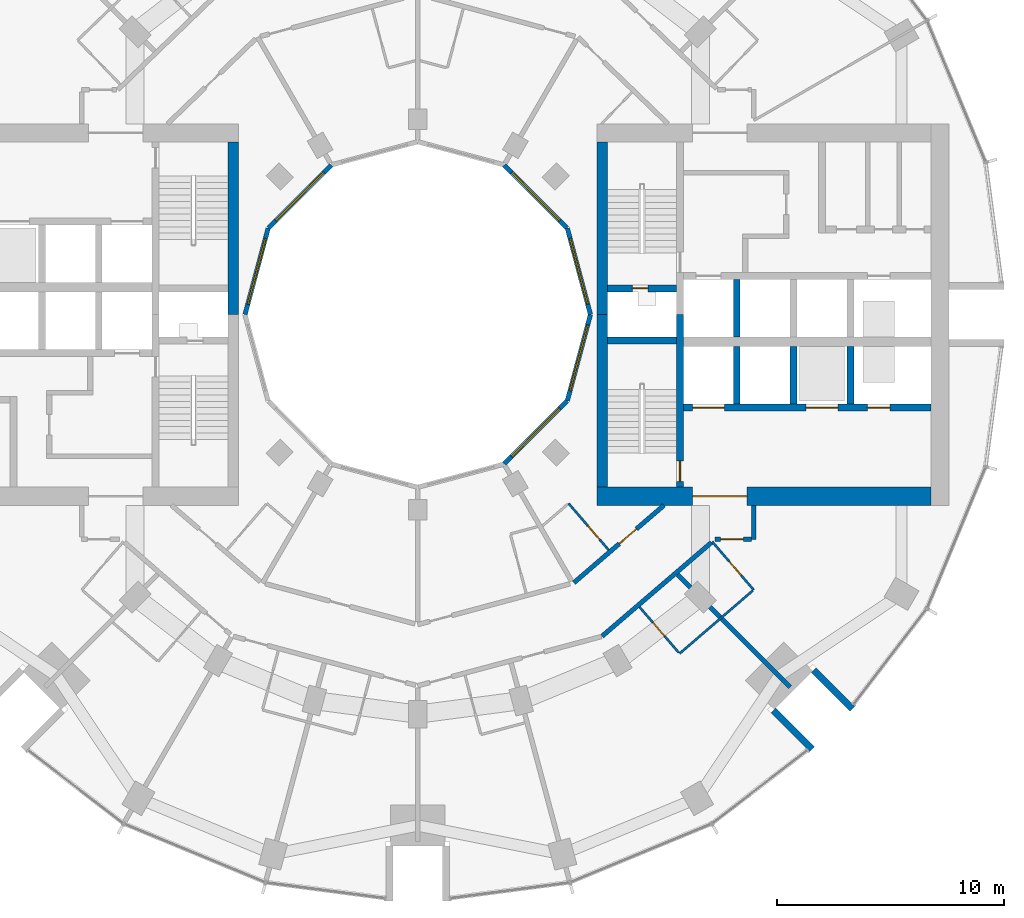
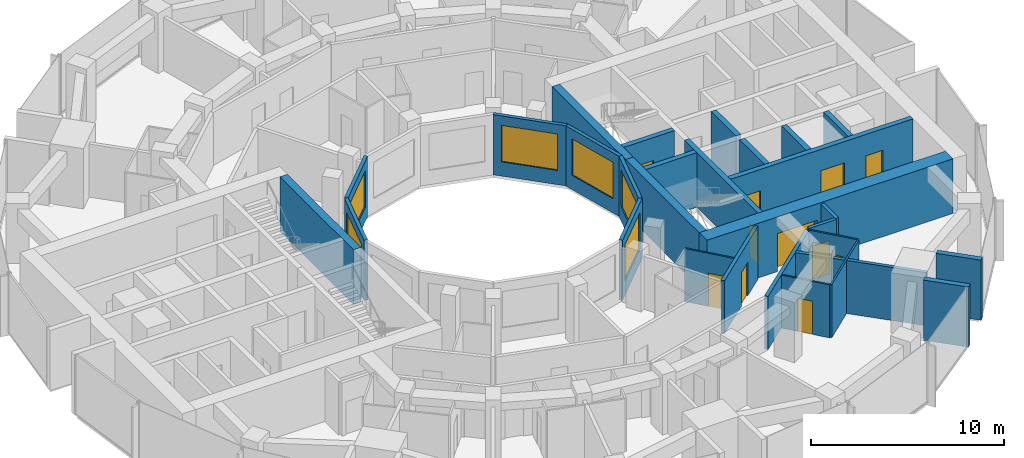
# One storey, part 10 of 15: 29 walls, 11 doors, 6 windows, 17 openings.
"""IFC4 building model written with IfcOpenShell, lengths in metres."""

import ifcopenshell
import ifcopenshell.guid

model = None  # the IFC model being written
_history = None  # IfcOwnerHistory: only IFC2X3 demands one
_inside = {}  # id of a spatial element -> (the spatial element, [elements in it])
_under = {}  # id of a project, library or spatial element -> (it, [spatial elements below it])
_declared = {}  # id of a project -> (the project, [libraries it declares])
_typed = {}  # id of a type object -> (the type object, [elements of that type])
_made_of = {}  # id of a material, layer set ... -> (it, [elements and type objects made of it])


def new_model(schema):
    """Start an empty IFC model of exactly this schema.

    Asked for "IFC4X3", IfcOpenShell would pick the latest addendum, in which some entities
    have other attributes; the version numbers below select the first issue.
    IFC2X3 requires an IfcOwnerHistory on every rooted entity: one is made here for all.
    """
    global model, _history
    if schema == "IFC4X3":
        model = ifcopenshell.file(schema_version=(4, 3, 0, 0))
    else:
        model = ifcopenshell.file(schema=schema)
    _inside.clear()
    _under.clear()
    _declared.clear()
    _typed.clear()
    _made_of.clear()
    _history = None
    if model.schema == "IFC2X3":
        org = make("IfcOrganization", Name="unknown")
        user = make(
            "IfcPersonAndOrganization",
            ThePerson=make("IfcPerson", FamilyName="unknown"),
            TheOrganization=org,
        )
        app = make(
            "IfcApplication",
            ApplicationDeveloper=org,
            Version="unknown",
            ApplicationFullName="unknown",
            ApplicationIdentifier="unknown",
        )
        _history = make(
            "IfcOwnerHistory",
            OwningUser=user,
            OwningApplication=app,
            ChangeAction="ADDED",
            CreationDate=0,
        )
    return model


def make(cls, **values):
    """One entity of the class cls with the attributes given. An attribute that is None is left unset."""
    return model.create_entity(
        cls, **{name: value for name, value in values.items() if value is not None}
    )


def rooted(cls, **values):
    """An entity with a GlobalId (a new one), such as an element, a storey or a relation."""
    return make(cls, GlobalId=ifcopenshell.guid.new(), OwnerHistory=_history, **values)


def si_unit(unit_type, name, prefix=None):
    """IfcSIUnit, for example si_unit("LENGTHUNIT", "METRE", prefix="MILLI")."""
    return make("IfcSIUnit", UnitType=unit_type, Prefix=prefix, Name=name)


def assignment(units):
    """IfcUnitAssignment: the units of a project."""
    return None if units is None else make("IfcUnitAssignment", Units=units)


def point(xyz):
    """IfcCartesianPoint."""
    return None if xyz is None else make("IfcCartesianPoint", Coordinates=xyz)


def direction(xyz):
    """IfcDirection."""
    return None if xyz is None else make("IfcDirection", DirectionRatios=xyz)


def frame(location, z_axis=None, x_axis=None):
    """IfcAxis2Placement3D, a coordinate frame: its origin and axes. An axis left out is left unset."""
    return make(
        "IfcAxis2Placement3D",
        Location=point(location),
        Axis=direction(z_axis),
        RefDirection=direction(x_axis),
    )


def frame_2d(location, x_axis=None):
    """IfcAxis2Placement2D, a coordinate frame in the plane: its origin and x axis."""
    return make(
        "IfcAxis2Placement2D", Location=point(location), RefDirection=direction(x_axis)
    )


def origin():
    """The frame at (0, 0, 0) with its axes left unset."""
    return frame((0.0, 0.0, 0.0))


def place(relative_to, where):
    """IfcLocalPlacement: puts the frame where relative to a parent placement (None: the world)."""
    return make(
        "IfcLocalPlacement", PlacementRelTo=relative_to, RelativePlacement=where
    )


def context(
    kind, dimensions, precision=None, world=None, true_north=None, identifier=None
):
    """IfcGeometricRepresentationContext, for example the 3D "Model" context."""
    return make(
        "IfcGeometricRepresentationContext",
        ContextIdentifier=identifier,
        ContextType=kind,
        CoordinateSpaceDimension=dimensions,
        Precision=precision,
        WorldCoordinateSystem=world,
        TrueNorth=true_north,
    )


def subcontext(parent, identifier, kind, view, scale=None):
    """IfcGeometricRepresentationSubContext, for example "Body" below "Model"."""
    return make(
        "IfcGeometricRepresentationSubContext",
        ContextIdentifier=identifier,
        ContextType=kind,
        ParentContext=parent,
        TargetScale=scale,
        TargetView=view,
    )


def project(units=None, contexts=None):
    """IfcProject with its units and contexts."""
    return rooted(
        "IfcProject",
        Name="project",
        RepresentationContexts=contexts,
        UnitsInContext=assignment(units),
    )


def spatial(cls, under=None, at=None, **own):
    """A site, building, storey or space (cls), placed at a placement, below another one or the project."""
    s = rooted(cls, ObjectPlacement=at, **own)
    if under is not None:
        _under.setdefault(under.id(), (under, []))[1].append(s)
    return s


def profile(cls, at=None, kind="AREA", **sizes):
    """A parametric profile (cls). Its sizes go by their IFC names, for example OverallWidth=200.0."""
    return make(cls, ProfileType=kind, Position=at, **sizes)


def rectangle(**sizes):
    """IfcRectangleProfileDef."""
    return profile("IfcRectangleProfileDef", **sizes)


def extrude(swept, where, along, depth):
    """IfcExtrudedAreaSolid: the profile swept, set in the frame where, extruded along a direction by depth."""
    return make(
        "IfcExtrudedAreaSolid",
        SweptArea=swept,
        Position=where,
        ExtrudedDirection=direction(along),
        Depth=depth,
    )


def shape(context_of_items, identifier, shape_type, items):
    """IfcShapeRepresentation: the items that make up one representation, for example the "Body"."""
    return make(
        "IfcShapeRepresentation",
        ContextOfItems=context_of_items,
        RepresentationIdentifier=identifier,
        RepresentationType=shape_type,
        Items=items,
    )


def material(Name=None, Category=None):
    """IfcMaterial."""
    return make("IfcMaterial", Name=Name, Category=Category)


def layer(
    of_material, thickness, ventilated=None, Name=None, Category=None, Priority=None
):
    """IfcMaterialLayer: one layer of a wall or slab, of a material (None: an air gap)."""
    return make(
        "IfcMaterialLayer",
        Material=of_material,
        LayerThickness=thickness,
        IsVentilated=ventilated,
        Name=Name,
        Category=Category,
        Priority=Priority,
    )


def layer_set(layers, Name=None):
    """IfcMaterialLayerSet."""
    return make("IfcMaterialLayerSet", MaterialLayers=layers, LayerSetName=Name)


def made_of(thing, what):
    """Note that an element or type object is made of a material, layer set ...; save() writes the relation."""
    if what is not None:
        _made_of.setdefault(what.id(), (what, []))[1].append(thing)
    return thing


def type_object(cls, material=None, **own):
    """A type object (cls), such as IfcWallType, which elements share."""
    return made_of(rooted(cls, **own), material)


def element(
    cls,
    number,
    at=None,
    inside=None,
    cuts=None,
    type_object=None,
    material=None,
    context=None,
    identifier="Body",
    shape_type=None,
    held_by="IfcProductDefinitionShape",
    body=None,
    shapes=None,
    **own,
):
    """One element of the class cls, such as IfcWall. Its Tag is "e" and its number.

    at: its placement. inside: the storey or other place that contains it. cuts: it is an
    opening in that element (IfcRelVoidsElement). A single representation is given by context,
    identifier, shape_type and body (its items); several are given by shapes. held_by: the class
    of the entity that holds the representations. save() writes the other relations.
    """
    e = rooted(cls, Tag="e%d" % number, ObjectPlacement=at, **own)
    if body is not None:
        shapes = [shape(context, identifier, shape_type, body)]
    if shapes is not None:
        e.Representation = make(held_by, Representations=shapes)
    if inside is not None:
        _inside.setdefault(inside.id(), (inside, []))[1].append(e)
    if cuts is not None:
        rooted(
            "IfcRelVoidsElement", RelatingBuildingElement=cuts, RelatedOpeningElement=e
        )
    if type_object is not None:
        _typed.setdefault(type_object.id(), (type_object, []))[1].append(e)
    return made_of(e, material)


def fill(opening, filler):
    """IfcRelFillsElement: the door or window that sits in an opening."""
    return rooted(
        "IfcRelFillsElement",
        RelatingOpeningElement=opening,
        RelatedBuildingElement=filler,
    )


def aggregate(whole, parts):
    """IfcRelAggregates: a whole, such as a stair, and the parts it consists of."""
    return rooted("IfcRelAggregates", RelatingObject=whole, RelatedObjects=parts)


def save(model, path):
    """Write the relations noted so far, then the file.

    IfcRelAggregates (storeys below a building ...), IfcRelContainedInSpatialStructure (elements
    in a storey), IfcRelDefinesByType, IfcRelAssociatesMaterial and IfcRelDeclares: one each for
    every whole, place, type object, material and project.
    """
    for whole, parts in _under.values():
        aggregate(whole, parts)
    for where, things in _inside.values():
        rooted(
            "IfcRelContainedInSpatialStructure",
            RelatedElements=things,
            RelatingStructure=where,
        )
    for kind, things in _typed.values():
        rooted("IfcRelDefinesByType", RelatedObjects=things, RelatingType=kind)
    for what, things in _made_of.values():
        rooted("IfcRelAssociatesMaterial", RelatedObjects=things, RelatingMaterial=what)
    for by, libraries in _declared.values():
        rooted("IfcRelDeclares", RelatingContext=by, RelatedDefinitions=libraries)
    model.write(path)


model = new_model("IFC4")

# Units and contexts
model_context = context("Model", 3, precision=1e-05, world=origin(), true_north=direction((0.0, 1.0)))
body_context = subcontext(model_context, "Body", "Model", "MODEL_VIEW")
ifc_project = project(units=[si_unit("LENGTHUNIT", "METRE"), si_unit("AREAUNIT", "SQUARE_METRE"), si_unit("VOLUMEUNIT", "CUBIC_METRE"), si_unit("PLANEANGLEUNIT", "RADIAN"), si_unit("MASSUNIT", "GRAM", prefix="KILO")], contexts=[model_context])

# Site, building, storey
site_placement = place(None, origin())
site = spatial("IfcSite", under=ifc_project, at=site_placement, CompositionType="ELEMENT")
building_placement = place(site_placement, origin())
building = spatial("IfcBuilding", under=site, at=building_placement, Name="Torre Brocal", CompositionType="ELEMENT")
storey_placement = place(building_placement, frame((0.0, 0.0, 105.199951171875)))
storey = spatial("IfcBuildingStorey", under=building, at=storey_placement, Name="L24", CompositionType="ELEMENT", Elevation=105.199951171875)

# Wall, opening, door
ifc_material_1 = material(Name="Concrete C80", Category="concrete")
ifc_layer_1 = layer(ifc_material_1, 0.300048828125)
ifc_layer_set_1 = layer_set([ifc_layer_1], Name="Concrete C80")
wall_type_1 = type_object("IfcWallType", Name="CORE WALL 300 C80 UNDER 350 SLAB", PredefinedType="SHEAR", material=ifc_layer_set_1)
wall_1_placement = place(storey_placement, frame((91.550048828125, 67.39990234375, 0.0), z_axis=(0.0, 0.0, 1.0), x_axis=(0.0, 1.0, 0.0)))
wall_1 = element("IfcWall", 1, at=wall_1_placement, inside=storey, type_object=wall_type_1, Name="Wall CW300-80-S350", PredefinedType="SHEAR", context=body_context, shape_type="SweptSolid", body=[
    extrude(rectangle(XDim=7.60009765625, YDim=0.300048828125, at=frame_2d((3.800048828125, 0.0))), origin(), (0.0, 0.0, 1.0), 3.449951171875),
])
opening_1_placement = place(wall_1_placement, frame((0.25, 0.0, 0.0)))
opening_1 = element("IfcOpeningElement", 2, at=opening_1_placement, cuts=wall_1, Name="Opening E-D03", PredefinedType="OPENING", context=body_context, shape_type="SweptSolid", body=[
    extrude(rectangle(XDim=0.89990234375, YDim=2.10009765625, at=frame_2d((0.449951171875, 1.050048828125))), frame((0.0, 0.159912109375, 0.0), z_axis=(0.0, -1.0, 0.0), x_axis=(1.0, 0.0, 0.0)), (0.0, 0.0, 1.0), 0.320068359375),
])
ifc_material_2 = material(Name="Steel A653", Category="steel")
door_type_1 = type_object("IfcDoorType", Name="STAIR DOOR FD120 900X2100", OperationType="SINGLE_SWING_RIGHT", PredefinedType="DOOR", material=ifc_material_2)
door_1_placement = place(opening_1_placement, origin())
door_1 = element("IfcDoor", 3, at=door_1_placement, inside=storey, type_object=door_type_1, Name="Door E-D03", OperationType="SINGLE_SWING_LEFT", OverallHeight=2.10009765625, OverallWidth=0.89990234375, PredefinedType="DOOR", context=body_context, shape_type="SweptSolid", body=[
    extrude(rectangle(XDim=0.89990234375, YDim=2.10009765625, at=frame_2d((0.449951171875, 1.050048828125))), frame((0.0, 0.02490234375, 0.0), z_axis=(0.0, -1.0, 0.0), x_axis=(1.0, 0.0, 0.0)), (0.0, 0.0, 1.0), 0.050048828125),
])
fill(opening_1, door_1)

wall_2_placement = place(storey_placement, frame((88.35009765625, 76.14990234375, 0.0), z_axis=(0.0, 0.0, 1.0), x_axis=(1.0, 0.0, 0.0)))
wall_2 = element("IfcWall", 4, at=wall_2_placement, inside=storey, type_object=wall_type_1, Name="Wall CW300-80-S350", PredefinedType="SHEAR", context=body_context, shape_type="SweptSolid", body=[
    extrude(rectangle(XDim=3.0498046875, YDim=0.300048828125, at=frame_2d((1.52490234375, 0.0))), origin(), (0.0, 0.0, 1.0), 3.449951171875),
])
opening_2_placement = place(wall_2_placement, frame((1.10009765625, 0.0, 0.0)))
opening_2 = element("IfcOpeningElement", 5, at=opening_2_placement, cuts=wall_2, Name="Opening E-D01", PredefinedType="OPENING", context=body_context, shape_type="SweptSolid", body=[
    extrude(rectangle(XDim=0.699951171875, YDim=2.0, at=frame_2d((0.35009765625, 1.0))), frame((0.0, 0.159912109375, 0.0), z_axis=(0.0, -1.0, 0.0), x_axis=(1.0, 0.0, 0.0)), (0.0, 0.0, 1.0), 0.320068359375),
])
ifc_material_3 = material(Name="Steel A653", Category="steel")
door_type_2 = type_object("IfcDoorType", Name="RISER DOOR FD120 700X2000", OperationType="SINGLE_SWING_LEFT", PredefinedType="DOOR", material=ifc_material_3)
door_2_placement = place(opening_2_placement, frame((0.699951171875, 0.0, 0.0), z_axis=(0.0, 0.0, 1.0), x_axis=(-1.0, 0.0, 0.0)))
door_2 = element("IfcDoor", 6, at=door_2_placement, inside=storey, type_object=door_type_2, Name="Door E-D01", OperationType="SINGLE_SWING_RIGHT", OverallHeight=2.0, OverallWidth=0.699951171875, PredefinedType="DOOR", context=body_context, shape_type="SweptSolid", body=[
    extrude(rectangle(XDim=0.699951171875, YDim=2.0, at=frame_2d((0.35009765625, 1.0))), frame((0.0, 0.02490234375, 0.0), z_axis=(0.0, -1.0, 0.0), x_axis=(1.0, 0.0, 0.0)), (0.0, 0.0, 1.0), 0.050048828125),
])
fill(opening_2, door_2)

# Wall
wall_3_placement = place(storey_placement, frame((88.35009765625, 73.85009765625, 0.0), z_axis=(0.0, 0.0, 1.0), x_axis=(1.0, 0.0, 0.0)))
element("IfcWall", 7, at=wall_3_placement, inside=storey, type_object=wall_type_1, Name="Wall CW300-80-S350", PredefinedType="SHEAR", context=body_context, shape_type="SweptSolid", body=[
    extrude(rectangle(XDim=3.0498046875, YDim=0.300048828125, at=frame_2d((1.52490234375, 0.0))), origin(), (0.0, 0.0, 1.0), 3.449951171875),
])

# Wall, openings, doors
wall_4_placement = place(storey_placement, frame((91.699951171875, 70.89990234375, 0.0), z_axis=(0.0, 0.0, 1.0), x_axis=(1.0, 0.0, 0.0)))
wall_4 = element("IfcWall", 8, at=wall_4_placement, inside=storey, type_object=wall_type_1, Name="Wall CW300-80-S350", PredefinedType="SHEAR", context=body_context, shape_type="SweptSolid", body=[
    extrude(rectangle(XDim=10.900146484375, YDim=0.300048828125, at=frame_2d((5.4501953125, 0.0))), origin(), (0.0, 0.0, 1.0), 3.449951171875),
])
opening_3_placement = place(wall_4_placement, frame((0.39990234375, 0.0, 0.0)))
opening_3 = element("IfcOpeningElement", 9, at=opening_3_placement, cuts=wall_4, Name="Opening LD14", PredefinedType="OPENING", context=body_context, shape_type="SweptSolid", body=[
    extrude(rectangle(XDim=1.39990234375, YDim=2.10009765625, at=frame_2d((0.699951171875, 1.050048828125))), frame((0.0, 0.159912109375, 0.0), z_axis=(0.0, -1.0, 0.0), x_axis=(1.0, 0.0, 0.0)), (0.0, 0.0, 1.0), 0.320068359375),
])
opening_4_placement = place(wall_4_placement, frame((5.39990234375, 0.0, 0.0)))
opening_4 = element("IfcOpeningElement", 10, at=opening_4_placement, cuts=wall_4, Name="Opening LD14", PredefinedType="OPENING", context=body_context, shape_type="SweptSolid", body=[
    extrude(rectangle(XDim=1.39990234375, YDim=2.10009765625, at=frame_2d((0.699951171875, 1.050048828125))), frame((0.0, 0.159912109375, 0.0), z_axis=(0.0, -1.0, 0.0), x_axis=(1.0, 0.0, 0.0)), (0.0, 0.0, 1.0), 0.320068359375),
])
opening_5_placement = place(wall_4_placement, frame((8.10009765625, 0.0, 0.0)))
opening_5 = element("IfcOpeningElement", 11, at=opening_5_placement, cuts=wall_4, Name="Opening LD10", PredefinedType="OPENING", context=body_context, shape_type="SweptSolid", body=[
    extrude(rectangle(XDim=1.0, YDim=2.10009765625, at=frame_2d((0.5, 1.050048828125))), frame((0.0, 0.159912109375, 0.0), z_axis=(0.0, -1.0, 0.0), x_axis=(1.0, 0.0, 0.0)), (0.0, 0.0, 1.0), 0.320068359375),
])
ifc_material_4 = material(Name="Stainless steel AISI 316", Category="steel")
door_type_3 = type_object("IfcDoorType", Name="LIFT LANDING DOOR 1000X2100", OperationType="DOUBLE_DOOR_SLIDING", PredefinedType="DOOR", material=ifc_material_4)
door_3_placement = place(opening_5_placement, origin())
door_3 = element("IfcDoor", 12, at=door_3_placement, inside=storey, type_object=door_type_3, Name="Door LD10", OperationType="DOUBLE_DOOR_SLIDING", OverallHeight=2.10009765625, OverallWidth=1.0, PredefinedType="DOOR", context=body_context, shape_type="SweptSolid", body=[
    extrude(rectangle(XDim=1.0, YDim=2.10009765625, at=frame_2d((0.5, 1.050048828125))), frame((0.0, 0.02490234375, 0.0), z_axis=(0.0, -1.0, 0.0), x_axis=(1.0, 0.0, 0.0)), (0.0, 0.0, 1.0), 0.050048828125),
])
fill(opening_5, door_3)
ifc_material_5 = material(Name="Stainless steel AISI 316", Category="steel")
door_type_4 = type_object("IfcDoorType", Name="LIFT LANDING DOOR 1400X2100", OperationType="DOUBLE_DOOR_SLIDING", PredefinedType="DOOR", material=ifc_material_5)
door_4_placement = place(opening_3_placement, origin())
door_4 = element("IfcDoor", 13, at=door_4_placement, inside=storey, type_object=door_type_4, Name="Door LD14", OperationType="DOUBLE_DOOR_SLIDING", OverallHeight=2.10009765625, OverallWidth=1.39990234375, PredefinedType="DOOR", context=body_context, shape_type="SweptSolid", body=[
    extrude(rectangle(XDim=1.39990234375, YDim=2.10009765625, at=frame_2d((0.699951171875, 1.050048828125))), frame((0.0, 0.02490234375, 0.0), z_axis=(0.0, -1.0, 0.0), x_axis=(1.0, 0.0, 0.0)), (0.0, 0.0, 1.0), 0.050048828125),
])
fill(opening_3, door_4)
door_5_placement = place(opening_4_placement, origin())
door_5 = element("IfcDoor", 14, at=door_5_placement, inside=storey, type_object=door_type_4, Name="Door LD14", OperationType="DOUBLE_DOOR_SLIDING", OverallHeight=2.10009765625, OverallWidth=1.39990234375, PredefinedType="DOOR", context=body_context, shape_type="SweptSolid", body=[
    extrude(rectangle(XDim=1.39990234375, YDim=2.10009765625, at=frame_2d((0.699951171875, 1.050048828125))), frame((0.0, 0.02490234375, 0.0), z_axis=(0.0, -1.0, 0.0), x_axis=(1.0, 0.0, 0.0)), (0.0, 0.0, 1.0), 0.050048828125),
])
fill(opening_4, door_5)

# Walls
for number, where, z_axis, x_axis, name in (
    (15, (94.050048828125, 74.0, 0.0), (0.0, 0.0, 1.0), (0.0, 1.0, 0.0), "Wall CW300-80-S350"),
    (16, (94.050048828125, 71.050048828125, 0.0), (0.0, 0.0, 1.0), (0.0, 1.0, 0.0), "Wall CW300-80-S350"),
    (17, (96.550048828125, 71.050048828125, 0.0), (0.0, 0.0, 1.0), (0.0, 1.0, 0.0), "Wall CW300-80-S350"),
    (18, (99.050048828125, 71.050048828125, 0.0), (0.0, 0.0, 1.0), (0.0, 1.0, 0.0), "Wall CW300-80-S350"),
):
    element("IfcWall", number, at=place(storey_placement, frame(where, z_axis=z_axis, x_axis=x_axis)), inside=storey, type_object=wall_type_1, Name=name, PredefinedType="SHEAR", context=body_context, shape_type="SweptSolid", body=[
        extrude(rectangle(XDim=2.550048828125, YDim=0.300048828125, at=frame_2d((1.27490234375, 0.0))), origin(), (0.0, 0.0, 1.0), 3.449951171875),
    ])
ifc_material_6 = material(Name="Concrete C80", Category="concrete")
ifc_layer_2 = layer(ifc_material_6, 0.449951171875)
ifc_layer_set_2 = layer_set([ifc_layer_2], Name="Concrete C80")
wall_type_2 = type_object("IfcWallType", Name="CORE WALL 450 C80 UNDER 350 SLAB", PredefinedType="SHEAR", material=ifc_layer_set_2)
for number, where, z_axis, x_axis, name in (
    (19, (88.125, 75.0, 0.0), (0.0, 0.0, 1.0), (0.0, 1.0, 0.0), "Wall CW450-80-S350"),
    (20, (88.125, 67.39990234375, 0.0), (0.0, 0.0, 1.0), (0.0, 1.0, 0.0), "Wall CW450-80-S350"),
    (21, (71.875, 82.60009765625, 0.0), (0.0, 0.0, 1.0), (0.0, -1.0, 0.0), "Wall CW450-80-S350"),
):
    element("IfcWall", number, at=place(storey_placement, frame(where, z_axis=z_axis, x_axis=x_axis)), inside=storey, type_object=wall_type_2, Name=name, PredefinedType="SHEAR", context=body_context, shape_type="SweptSolid", body=[
        extrude(rectangle(XDim=7.60009765625, YDim=0.449951171875, at=frame_2d((3.800048828125, 0.0))), origin(), (0.0, 0.0, 1.0), 3.449951171875),
    ])

# Wall, opening, door
ifc_material_7 = material(Name="Concrete C80", Category="concrete")
ifc_layer_3 = layer(ifc_material_7, 0.800048828125)
ifc_layer_set_3 = layer_set([ifc_layer_3], Name="Concrete C80")
wall_type_3 = type_object("IfcWallType", Name="CORE WALL 800 C80 UNDER 350 SLAB", PredefinedType="SHEAR", material=ifc_layer_set_3)
wall_5_placement = place(storey_placement, frame((87.89990234375, 67.0, 0.0), z_axis=(0.0, 0.0, 1.0), x_axis=(1.0, 0.0, 0.0)))
wall_5 = element("IfcWall", 22, at=wall_5_placement, inside=storey, type_object=wall_type_3, Name="Wall CW800-80-S350", PredefinedType="SHEAR", context=body_context, shape_type="SweptSolid", body=[
    extrude(rectangle(XDim=14.7001953125, YDim=0.800048828125, at=frame_2d((7.35009765625, 0.0))), origin(), (0.0, 0.0, 1.0), 3.449951171875),
])
opening_6_placement = place(wall_5_placement, frame((4.199951171875, 0.0, 0.0)))
opening_6 = element("IfcOpeningElement", 23, at=opening_6_placement, cuts=wall_5, Name="Opening E-D30", PredefinedType="OPENING", context=body_context, shape_type="SweptSolid", body=[
    extrude(rectangle(XDim=2.39990234375, YDim=2.39990234375, at=frame_2d((1.199951171875, 1.199951171875))), frame((0.0, 0.409912109375, 0.0), z_axis=(0.0, -1.0, 0.0), x_axis=(1.0, 0.0, 0.0)), (0.0, 0.0, 1.0), 0.820068359375),
])
ifc_material_8 = material(Name="Steel A653", Category="steel")
door_type_5 = type_object("IfcDoorType", Name="DOUBLE FIRE DOOR FD90 2400X2400", OperationType="DOUBLE_DOOR_SINGLE_SWING", PredefinedType="DOOR", material=ifc_material_8)
door_6_placement = place(opening_6_placement, origin())
door_6 = element("IfcDoor", 24, at=door_6_placement, inside=storey, type_object=door_type_5, Name="Door E-D30", OperationType="DOUBLE_DOOR_SINGLE_SWING", OverallHeight=2.39990234375, OverallWidth=2.39990234375, PredefinedType="DOOR", context=body_context, shape_type="SweptSolid", body=[
    extrude(rectangle(XDim=2.39990234375, YDim=2.39990234375, at=frame_2d((1.199951171875, 1.199951171875))), frame((0.0, 0.02490234375, 0.0), z_axis=(0.0, -1.0, 0.0), x_axis=(1.0, 0.0, 0.0)), (0.0, 0.0, 1.0), 0.050048828125),
])
fill(opening_6, door_6)

# Walls
ifc_material_9 = material(Name="Concrete C80", Category="concrete")
ifc_layer_4 = layer(ifc_material_9, 0.300048828125)
ifc_layer_set_4 = layer_set([ifc_layer_4], Name="Concrete C80")
wall_type_4 = type_object("IfcWallType", Name="NOTCH RETURN WALL 300 C80", PredefinedType="NOTDEFINED", material=ifc_layer_set_4)
for number, where, z_axis, x_axis, name in (
    (25, (95.662353515625, 57.56982421875, 0.0), (0.0, 0.0, 1.0), (0.707106781187, -0.707106781187, 0.0), "NOTCH RETURN WALL"),
    (26, (97.43017578125, 59.337646484375, 0.0), (0.0, 0.0, 1.0), (0.707106781187, -0.707106781187, 0.0), "NOTCH RETURN WALL"),
):
    element("IfcWall", number, at=place(storey_placement, frame(where, z_axis=z_axis, x_axis=x_axis)), inside=storey, type_object=wall_type_4, Name=name, PredefinedType="NOTDEFINED", context=body_context, shape_type="SweptSolid", body=[
        extrude(rectangle(XDim=2.415771484375, YDim=0.300048828125, at=frame_2d((1.2080078125, 0.0))), origin(), (0.0, 0.0, 1.0), 3.800048828125),
    ])

# Wall, opening, door
ifc_material_10 = material(Name="Gypsum board", Category="Gypsum")
ifc_layer_5 = layer(ifc_material_10, 0.10009765625)
ifc_layer_set_5 = layer_set([ifc_layer_5], Name="Gypsum board")
wall_type_5 = type_object("IfcWallType", Name="PARTITION 100", PredefinedType="PARTITIONING", material=ifc_layer_set_5)
wall_6_placement = place(storey_placement, frame((86.64306640625, 66.680908203125, 0.0), z_axis=(0.0, 0.0, 1.0), x_axis=(0.652264876065, -0.757991115682, 0.0)))
wall_6 = element("IfcWall", 27, at=wall_6_placement, inside=storey, type_object=wall_type_5, Name="BATHROOM WALL", PredefinedType="PARTITIONING", context=body_context, shape_type="SweptSolid", body=[
    extrude(rectangle(XDim=2.699462890625, YDim=0.10009765625, at=frame_2d((1.349609375, 0.0))), origin(), (0.0, 0.0, 1.0), 3.35009765625),
])
opening_7_placement = place(wall_6_placement, frame((1.2998046875, 0.0, 0.0)))
opening_7 = element("IfcOpeningElement", 28, at=opening_7_placement, cuts=wall_6, Name="Opening H07-D39", PredefinedType="OPENING", context=body_context, shape_type="SweptSolid", body=[
    extrude(rectangle(XDim=0.800048828125, YDim=2.10009765625, at=frame_2d((0.39990234375, 1.050048828125))), frame((0.0, 0.06005859375, 0.0), z_axis=(0.0, -1.0, 0.0), x_axis=(1.0, 0.0, 0.0)), (0.0, 0.0, 1.0), 0.1201171875),
])
ifc_material_11 = material(Name="Timber", Category="wood")
door_type_6 = type_object("IfcDoorType", Name="BATHROOM DOOR 800X2100", OperationType="SINGLE_SWING_LEFT", PredefinedType="DOOR", material=ifc_material_11)
door_7_placement = place(opening_7_placement, frame((0.800048828125, 0.0, 0.0), z_axis=(0.0, 0.0, 1.0), x_axis=(-1.0, 0.0, 0.0)))
door_7 = element("IfcDoor", 29, at=door_7_placement, inside=storey, type_object=door_type_6, Name="H07-D39", OperationType="SINGLE_SWING_LEFT", OverallHeight=2.10009765625, OverallWidth=0.800048828125, PredefinedType="DOOR", context=body_context, shape_type="SweptSolid", body=[
    extrude(rectangle(XDim=0.800048828125, YDim=2.10009765625, at=frame_2d((0.39990234375, 1.050048828125))), frame((0.0, 0.02490234375, 0.0), z_axis=(0.0, -1.0, 0.0), x_axis=(1.0, 0.0, 0.0)), (0.0, 0.0, 1.0), 0.050048828125),
])
fill(opening_7, door_7)

wall_7_placement = place(storey_placement, frame((89.76953125, 62.11572265625, 0.0), z_axis=(0.0, 0.0, 1.0), x_axis=(0.652481981265, -0.757804238656, 0.0)))
wall_7 = element("IfcWall", 30, at=wall_7_placement, inside=storey, type_object=wall_type_5, Name="BATHROOM WALL", PredefinedType="PARTITIONING", context=body_context, shape_type="SweptSolid", body=[
    extrude(rectangle(XDim=2.6494140625, YDim=0.10009765625, at=frame_2d((1.32470703125, 0.0))), origin(), (0.0, 0.0, 1.0), 3.35009765625),
])
opening_8_placement = place(wall_7_placement, frame((0.8994140625, 0.0, 0.0)))
opening_8 = element("IfcOpeningElement", 31, at=opening_8_placement, cuts=wall_7, Name="Opening H07-D27", PredefinedType="OPENING", context=body_context, shape_type="SweptSolid", body=[
    extrude(rectangle(XDim=0.800048828125, YDim=2.10009765625, at=frame_2d((0.39990234375, 1.050048828125))), frame((0.0, 0.06005859375, 0.0), z_axis=(0.0, -1.0, 0.0), x_axis=(1.0, 0.0, 0.0)), (0.0, 0.0, 1.0), 0.1201171875),
])
door_8_placement = place(opening_8_placement, origin())
door_8 = element("IfcDoor", 32, at=door_8_placement, inside=storey, type_object=door_type_6, Name="H07-D27", OperationType="SINGLE_SWING_LEFT", OverallHeight=2.10009765625, OverallWidth=0.800048828125, PredefinedType="DOOR", context=body_context, shape_type="SweptSolid", body=[
    extrude(rectangle(XDim=0.800048828125, YDim=2.10009765625, at=frame_2d((0.39990234375, 1.050048828125))), frame((0.0, 0.02490234375, 0.0), z_axis=(0.0, -1.0, 0.0), x_axis=(1.0, 0.0, 0.0)), (0.0, 0.0, 1.0), 0.050048828125),
])
fill(opening_8, door_8)

# Wall
wall_8_placement = place(storey_placement, frame((91.53125, 60.06982421875, 0.0), z_axis=(0.0, 0.0, 1.0), x_axis=(0.758043227135, 0.652204312922, 0.0)))
element("IfcWall", 33, at=wall_8_placement, inside=storey, type_object=wall_type_5, Name="BATHROOM WALL", PredefinedType="PARTITIONING", context=body_context, shape_type="SweptSolid", body=[
    extrude(rectangle(XDim=4.251220703125, YDim=0.10009765625, at=frame_2d((2.12548828125, 0.0))), origin(), (0.0, 0.0, 1.0), 3.35009765625),
])

# Wall, opening, door
wall_9_placement = place(storey_placement, frame((92.96630859375, 64.997802734375, 0.0), z_axis=(0.0, 0.0, 1.0), x_axis=(0.65205430601, -0.758172264076, 0.0)))
wall_9 = element("IfcWall", 34, at=wall_9_placement, inside=storey, type_object=wall_type_5, Name="BATHROOM WALL", PredefinedType="PARTITIONING", context=body_context, shape_type="SweptSolid", body=[
    extrude(rectangle(XDim=2.7998046875, YDim=0.10009765625, at=frame_2d((1.39990234375, 0.0))), origin(), (0.0, 0.0, 1.0), 3.35009765625),
])
opening_9_placement = place(wall_9_placement, frame((1.14990234375, 0.0, 0.0)))
opening_9 = element("IfcOpeningElement", 35, at=opening_9_placement, cuts=wall_9, Name="Opening H07-D25", PredefinedType="OPENING", context=body_context, shape_type="SweptSolid", body=[
    extrude(rectangle(XDim=0.800048828125, YDim=2.10009765625, at=frame_2d((0.39990234375, 1.050048828125))), frame((0.0, 0.06005859375, 0.0), z_axis=(0.0, -1.0, 0.0), x_axis=(1.0, 0.0, 0.0)), (0.0, 0.0, 1.0), 0.1201171875),
])
door_9_placement = place(opening_9_placement, frame((0.800048828125, 0.0, 0.0), z_axis=(0.0, 0.0, 1.0), x_axis=(-1.0, 0.0, 0.0)))
door_9 = element("IfcDoor", 36, at=door_9_placement, inside=storey, type_object=door_type_6, Name="H07-D25", OperationType="SINGLE_SWING_LEFT", OverallHeight=2.10009765625, OverallWidth=0.800048828125, PredefinedType="DOOR", context=body_context, shape_type="SweptSolid", body=[
    extrude(rectangle(XDim=0.800048828125, YDim=2.10009765625, at=frame_2d((0.39990234375, 1.050048828125))), frame((0.0, 0.02490234375, 0.0), z_axis=(0.0, -1.0, 0.0), x_axis=(1.0, 0.0, 0.0)), (0.0, 0.0, 1.0), 0.050048828125),
])
fill(opening_9, door_9)

ifc_material_12 = material(Name="Gypsum board", Category="Gypsum")
ifc_layer_6 = layer(ifc_material_12, 0.199951171875)
ifc_layer_set_6 = layer_set([ifc_layer_6], Name="Gypsum board")
wall_type_6 = type_object("IfcWallType", Name="PARTITION 200 EI60", PredefinedType="PARTITIONING", material=ifc_layer_set_6)
wall_10_placement = place(storey_placement, frame((86.876953125, 63.189208984375, 0.0), z_axis=(0.0, 0.0, 1.0), x_axis=(0.758164888471, 0.652062881853, 0.0)))
wall_10 = element("IfcWall", 37, at=wall_10_placement, inside=storey, type_object=wall_type_6, Name="GUESTROOM CORRIDOR WALL", PredefinedType="PARTITIONING", context=body_context, shape_type="SweptSolid", body=[
    extrude(rectangle(XDim=5.230224609375, YDim=0.199951171875, at=frame_2d((2.615234375, 0.0))), origin(), (0.0, 0.0, 1.0), 3.35009765625),
])
opening_10_placement = place(wall_10_placement, frame((2.63037109375, 0.0, 0.0)))
opening_10 = element("IfcOpeningElement", 38, at=opening_10_placement, cuts=wall_10, Name="Opening H07-D38", PredefinedType="OPENING", context=body_context, shape_type="SweptSolid", body=[
    extrude(rectangle(XDim=1.0, YDim=2.10009765625, at=frame_2d((0.5, 1.050048828125))), frame((0.0, 0.10986328125, 0.0), z_axis=(0.0, -1.0, 0.0), x_axis=(1.0, 0.0, 0.0)), (0.0, 0.0, 1.0), 0.219970703125),
])
ifc_material_13 = material(Name="Timber", Category="wood")
door_type_7 = type_object("IfcDoorType", Name="FLAT ENTRY DOOR FD30S 1000X2100", OperationType="SINGLE_SWING_RIGHT", PredefinedType="DOOR", material=ifc_material_13)
door_10_placement = place(opening_10_placement, origin())
door_10 = element("IfcDoor", 39, at=door_10_placement, inside=storey, type_object=door_type_7, Name="H07-D38", OperationType="SINGLE_SWING_LEFT", OverallHeight=2.10009765625, OverallWidth=1.0, PredefinedType="DOOR", context=body_context, shape_type="SweptSolid", body=[
    extrude(rectangle(XDim=1.0, YDim=2.10009765625, at=frame_2d((0.5, 1.050048828125))), frame((0.0, 0.02490234375, 0.0), z_axis=(0.0, -1.0, 0.0), x_axis=(1.0, 0.0, 0.0)), (0.0, 0.0, 1.0), 0.050048828125),
])
fill(opening_10, door_10)

# Walls
wall_11_placement = place(storey_placement, frame((88.119384765625, 60.835205078125, 0.0), z_axis=(0.0, 0.0, 1.0), x_axis=(0.759278362444, 0.650765985838, 0.0)))
element("IfcWall", 40, at=wall_11_placement, inside=storey, type_object=wall_type_6, Name="GUESTROOM CORRIDOR WALL", PredefinedType="PARTITIONING", context=body_context, shape_type="SweptSolid", body=[
    extrude(rectangle(XDim=6.335693359375, YDim=0.199951171875, at=frame_2d((3.16796875, 0.0))), origin(), (0.0, 0.0, 1.0), 3.35009765625),
])
wall_12_placement = place(storey_placement, frame((91.44873046875, 63.54736328125, 0.0), z_axis=(0.0, 0.0, 1.0), x_axis=(0.706984798626, -0.707228742708, 0.0)))
element("IfcWall", 41, at=wall_12_placement, inside=storey, type_object=wall_type_6, Name="BATHROOM WALL", PredefinedType="PARTITIONING", context=body_context, shape_type="SweptSolid", body=[
    extrude(rectangle(XDim=7.005615234375, YDim=0.199951171875, at=frame_2d((3.5029296875, 0.0))), origin(), (0.0, 0.0, 1.0), 3.35009765625),
])

# Wall, opening, door
wall_13_placement = place(storey_placement, frame((93.0849609375, 65.10009765625, 0.0), z_axis=(0.0, 0.0, 1.0), x_axis=(1.0, 0.0, 0.0)))
wall_13 = element("IfcWall", 42, at=wall_13_placement, inside=storey, type_object=wall_type_6, Name="GUESTROOM CORRIDOR WALL", PredefinedType="PARTITIONING", context=body_context, shape_type="SweptSolid", body=[
    extrude(rectangle(XDim=1.614990234375, YDim=0.199951171875, at=frame_2d((0.8076171875, 0.0))), origin(), (0.0, 0.0, 1.0), 3.35009765625),
])
opening_11_placement = place(wall_13_placement, frame((0.25, 0.0, 0.0)))
opening_11 = element("IfcOpeningElement", 43, at=opening_11_placement, cuts=wall_13, Name="Opening H07-D24", PredefinedType="OPENING", context=body_context, shape_type="SweptSolid", body=[
    extrude(rectangle(XDim=1.0, YDim=2.10009765625, at=frame_2d((0.5, 1.050048828125))), frame((0.0, 0.10986328125, 0.0), z_axis=(0.0, -1.0, 0.0), x_axis=(1.0, 0.0, 0.0)), (0.0, 0.0, 1.0), 0.219970703125),
])
door_11_placement = place(opening_11_placement, frame((1.0, 0.0, 0.0), z_axis=(0.0, 0.0, 1.0), x_axis=(-1.0, 0.0, 0.0)))
door_11 = element("IfcDoor", 44, at=door_11_placement, inside=storey, type_object=door_type_7, Name="H07-D24", OperationType="SINGLE_SWING_LEFT", OverallHeight=2.10009765625, OverallWidth=1.0, PredefinedType="DOOR", context=body_context, shape_type="SweptSolid", body=[
    extrude(rectangle(XDim=1.0, YDim=2.10009765625, at=frame_2d((0.5, 1.050048828125))), frame((0.0, 0.02490234375, 0.0), z_axis=(0.0, -1.0, 0.0), x_axis=(1.0, 0.0, 0.0)), (0.0, 0.0, 1.0), 0.050048828125),
])
fill(opening_11, door_11)

# Wall
wall_14_placement = place(storey_placement, frame((94.800048828125, 65.10009765625, 0.0), z_axis=(0.0, 0.0, 1.0), x_axis=(0.0, 1.0, 0.0)))
element("IfcWall", 45, at=wall_14_placement, inside=storey, type_object=wall_type_6, Name="GUESTROOM CORRIDOR WALL", PredefinedType="PARTITIONING", context=body_context, shape_type="SweptSolid", body=[
    extrude(rectangle(XDim=1.4990234375, YDim=0.199951171875, at=frame_2d((0.74951171875, 0.0))), origin(), (0.0, 0.0, 1.0), 3.35009765625),
])

# Wall, opening, window
ifc_material_14 = material(Name="Concrete C40", Category="concrete")
ifc_layer_7 = layer(ifc_material_14, 0.199951171875)
ifc_layer_set_7 = layer_set([ifc_layer_7], Name="Concrete C40")
wall_type_7 = type_object("IfcWallType", Name="WELL FACADE WALL 200", PredefinedType="NOTDEFINED", material=ifc_layer_set_7)
wall_15_placement = place(storey_placement, frame((87.603515625, 75.0, 0.0), z_axis=(0.0, 0.0, 1.0), x_axis=(-0.258789828301, 0.965933654434, 0.0)))
wall_15 = element("IfcWall", 46, at=wall_15_placement, inside=storey, type_object=wall_type_7, Name="WELL FACADE WALL", PredefinedType="NOTDEFINED", context=body_context, shape_type="SweptSolid", body=[
    extrude(rectangle(XDim=3.935791015625, YDim=0.199951171875, at=frame_2d((1.9677734375, 0.0))), origin(), (0.0, 0.0, 1.0), 3.800048828125),
])
opening_12_placement = place(wall_15_placement, frame((0.468017578125, 0.0, 0.89990234375)))
opening_12 = element("IfcOpeningElement", 47, at=opening_12_placement, cuts=wall_15, Name="Opening W1", PredefinedType="OPENING", context=body_context, shape_type="SweptSolid", body=[
    extrude(rectangle(XDim=3.0, YDim=2.300048828125, at=frame_2d((1.5, 1.14990234375))), frame((0.0, 0.10986328125, 0.0), z_axis=(0.0, -1.0, 0.0), x_axis=(1.0, 0.0, 0.0)), (0.0, 0.0, 1.0), 0.219970703125),
])
ifc_material_15 = material(Name="Aluminium and glass", Category="aluminium")
window_type = type_object("IfcWindowType", Name="WELL WINDOW 3000X2300", PartitioningType="SINGLE_PANEL", PredefinedType="WINDOW", material=ifc_material_15)
window_1_placement = place(opening_12_placement, origin())
window_1 = element("IfcWindow", 48, at=window_1_placement, inside=storey, type_object=window_type, Name="WELL WINDOW 3000X2300", OverallHeight=2.300048828125, OverallWidth=3.0, PartitioningType="SINGLE_PANEL", PredefinedType="WINDOW", context=body_context, shape_type="SweptSolid", body=[
    extrude(rectangle(XDim=3.0, YDim=2.300048828125, at=frame_2d((1.5, 1.14990234375))), frame((0.0, 0.030029296875, 0.0), z_axis=(0.0, -1.0, 0.0), x_axis=(1.0, 0.0, 0.0)), (0.0, 0.0, 1.0), 0.06005859375),
])
fill(opening_12, window_1)

wall_16_placement = place(storey_placement, frame((86.5849609375, 78.8017578125, 0.0), z_axis=(0.0, 0.0, 1.0), x_axis=(-0.707106781187, 0.707106781187, 0.0)))
wall_16 = element("IfcWall", 49, at=wall_16_placement, inside=storey, type_object=wall_type_7, Name="WELL FACADE WALL", PredefinedType="NOTDEFINED", context=body_context, shape_type="SweptSolid", body=[
    extrude(rectangle(XDim=3.93603515625, YDim=0.199951171875, at=frame_2d((1.968017578125, 0.0))), origin(), (0.0, 0.0, 1.0), 3.800048828125),
])
opening_13_placement = place(wall_16_placement, frame((0.468017578125, 0.0, 0.89990234375)))
opening_13 = element("IfcOpeningElement", 50, at=opening_13_placement, cuts=wall_16, Name="Opening W1", PredefinedType="OPENING", context=body_context, shape_type="SweptSolid", body=[
    extrude(rectangle(XDim=3.0, YDim=2.300048828125, at=frame_2d((1.5, 1.14990234375))), frame((0.0, 0.10986328125, 0.0), z_axis=(0.0, -1.0, 0.0), x_axis=(1.0, 0.0, 0.0)), (0.0, 0.0, 1.0), 0.219970703125),
])
window_2_placement = place(opening_13_placement, origin())
window_2 = element("IfcWindow", 51, at=window_2_placement, inside=storey, type_object=window_type, Name="WELL WINDOW 3000X2300", OverallHeight=2.300048828125, OverallWidth=3.0, PartitioningType="SINGLE_PANEL", PredefinedType="WINDOW", context=body_context, shape_type="SweptSolid", body=[
    extrude(rectangle(XDim=3.0, YDim=2.300048828125, at=frame_2d((1.5, 1.14990234375))), frame((0.0, 0.030029296875, 0.0), z_axis=(0.0, -1.0, 0.0), x_axis=(1.0, 0.0, 0.0)), (0.0, 0.0, 1.0), 0.06005859375),
])
fill(opening_13, window_2)

wall_17_placement = place(storey_placement, frame((76.1982421875, 81.5849609375, 0.0), z_axis=(0.0, 0.0, 1.0), x_axis=(-0.707106781187, -0.707106781187, 0.0)))
wall_17 = element("IfcWall", 52, at=wall_17_placement, inside=storey, type_object=wall_type_7, Name="WELL FACADE WALL", PredefinedType="NOTDEFINED", context=body_context, shape_type="SweptSolid", body=[
    extrude(rectangle(XDim=3.93603515625, YDim=0.199951171875, at=frame_2d((1.968017578125, 0.0))), origin(), (0.0, 0.0, 1.0), 3.800048828125),
])
opening_14_placement = place(wall_17_placement, frame((0.468017578125, 0.0, 0.89990234375)))
opening_14 = element("IfcOpeningElement", 53, at=opening_14_placement, cuts=wall_17, Name="Opening W1", PredefinedType="OPENING", context=body_context, shape_type="SweptSolid", body=[
    extrude(rectangle(XDim=3.0, YDim=2.300048828125, at=frame_2d((1.5, 1.14990234375))), frame((0.0, 0.10986328125, 0.0), z_axis=(0.0, -1.0, 0.0), x_axis=(1.0, 0.0, 0.0)), (0.0, 0.0, 1.0), 0.219970703125),
])
window_3_placement = place(opening_14_placement, origin())
window_3 = element("IfcWindow", 54, at=window_3_placement, inside=storey, type_object=window_type, Name="WELL WINDOW 3000X2300", OverallHeight=2.300048828125, OverallWidth=3.0, PartitioningType="SINGLE_PANEL", PredefinedType="WINDOW", context=body_context, shape_type="SweptSolid", body=[
    extrude(rectangle(XDim=3.0, YDim=2.300048828125, at=frame_2d((1.5, 1.14990234375))), frame((0.0, 0.030029296875, 0.0), z_axis=(0.0, -1.0, 0.0), x_axis=(1.0, 0.0, 0.0)), (0.0, 0.0, 1.0), 0.06005859375),
])
fill(opening_14, window_3)

wall_18_placement = place(storey_placement, frame((73.4150390625, 78.8017578125, 0.0), z_axis=(0.0, 0.0, 1.0), x_axis=(-0.258789828301, -0.965933654434, 0.0)))
wall_18 = element("IfcWall", 55, at=wall_18_placement, inside=storey, type_object=wall_type_7, Name="WELL FACADE WALL", PredefinedType="NOTDEFINED", context=body_context, shape_type="SweptSolid", body=[
    extrude(rectangle(XDim=3.935791015625, YDim=0.199951171875, at=frame_2d((1.9677734375, 0.0))), origin(), (0.0, 0.0, 1.0), 3.800048828125),
])
opening_15_placement = place(wall_18_placement, frame((0.468017578125, 0.0, 0.89990234375)))
opening_15 = element("IfcOpeningElement", 56, at=opening_15_placement, cuts=wall_18, Name="Opening W1", PredefinedType="OPENING", context=body_context, shape_type="SweptSolid", body=[
    extrude(rectangle(XDim=3.0, YDim=2.300048828125, at=frame_2d((1.5, 1.14990234375))), frame((0.0, 0.10986328125, 0.0), z_axis=(0.0, -1.0, 0.0), x_axis=(1.0, 0.0, 0.0)), (0.0, 0.0, 1.0), 0.219970703125),
])
window_4_placement = place(opening_15_placement, origin())
window_4 = element("IfcWindow", 57, at=window_4_placement, inside=storey, type_object=window_type, Name="WELL WINDOW 3000X2300", OverallHeight=2.300048828125, OverallWidth=3.0, PartitioningType="SINGLE_PANEL", PredefinedType="WINDOW", context=body_context, shape_type="SweptSolid", body=[
    extrude(rectangle(XDim=3.0, YDim=2.300048828125, at=frame_2d((1.5, 1.14990234375))), frame((0.0, 0.030029296875, 0.0), z_axis=(0.0, -1.0, 0.0), x_axis=(1.0, 0.0, 0.0)), (0.0, 0.0, 1.0), 0.06005859375),
])
fill(opening_15, window_4)

wall_19_placement = place(storey_placement, frame((83.8017578125, 68.4150390625, 0.0), z_axis=(0.0, 0.0, 1.0), x_axis=(0.707106781187, 0.707106781187, 0.0)))
wall_19 = element("IfcWall", 58, at=wall_19_placement, inside=storey, type_object=wall_type_7, Name="WELL FACADE WALL", PredefinedType="NOTDEFINED", context=body_context, shape_type="SweptSolid", body=[
    extrude(rectangle(XDim=3.93603515625, YDim=0.199951171875, at=frame_2d((1.968017578125, 0.0))), origin(), (0.0, 0.0, 1.0), 3.800048828125),
])
opening_16_placement = place(wall_19_placement, frame((0.468017578125, 0.0, 0.89990234375)))
opening_16 = element("IfcOpeningElement", 59, at=opening_16_placement, cuts=wall_19, Name="Opening W1", PredefinedType="OPENING", context=body_context, shape_type="SweptSolid", body=[
    extrude(rectangle(XDim=3.0, YDim=2.300048828125, at=frame_2d((1.5, 1.14990234375))), frame((0.0, 0.10986328125, 0.0), z_axis=(0.0, -1.0, 0.0), x_axis=(1.0, 0.0, 0.0)), (0.0, 0.0, 1.0), 0.219970703125),
])
window_5_placement = place(opening_16_placement, origin())
window_5 = element("IfcWindow", 60, at=window_5_placement, inside=storey, type_object=window_type, Name="WELL WINDOW 3000X2300", OverallHeight=2.300048828125, OverallWidth=3.0, PartitioningType="SINGLE_PANEL", PredefinedType="WINDOW", context=body_context, shape_type="SweptSolid", body=[
    extrude(rectangle(XDim=3.0, YDim=2.300048828125, at=frame_2d((1.5, 1.14990234375))), frame((0.0, 0.030029296875, 0.0), z_axis=(0.0, -1.0, 0.0), x_axis=(1.0, 0.0, 0.0)), (0.0, 0.0, 1.0), 0.06005859375),
])
fill(opening_16, window_5)

wall_20_placement = place(storey_placement, frame((86.5849609375, 71.1982421875, 0.0), z_axis=(0.0, 0.0, 1.0), x_axis=(0.258789828301, 0.965933654434, 0.0)))
wall_20 = element("IfcWall", 61, at=wall_20_placement, inside=storey, type_object=wall_type_7, Name="WELL FACADE WALL", PredefinedType="NOTDEFINED", context=body_context, shape_type="SweptSolid", body=[
    extrude(rectangle(XDim=3.935791015625, YDim=0.199951171875, at=frame_2d((1.9677734375, 0.0))), origin(), (0.0, 0.0, 1.0), 3.800048828125),
])
opening_17_placement = place(wall_20_placement, frame((0.468017578125, 0.0, 0.89990234375)))
opening_17 = element("IfcOpeningElement", 62, at=opening_17_placement, cuts=wall_20, Name="Opening W1", PredefinedType="OPENING", context=body_context, shape_type="SweptSolid", body=[
    extrude(rectangle(XDim=3.0, YDim=2.300048828125, at=frame_2d((1.5, 1.14990234375))), frame((0.0, 0.10986328125, 0.0), z_axis=(0.0, -1.0, 0.0), x_axis=(1.0, 0.0, 0.0)), (0.0, 0.0, 1.0), 0.219970703125),
])
window_6_placement = place(opening_17_placement, origin())
window_6 = element("IfcWindow", 63, at=window_6_placement, inside=storey, type_object=window_type, Name="WELL WINDOW 3000X2300", OverallHeight=2.300048828125, OverallWidth=3.0, PartitioningType="SINGLE_PANEL", PredefinedType="WINDOW", context=body_context, shape_type="SweptSolid", body=[
    extrude(rectangle(XDim=3.0, YDim=2.300048828125, at=frame_2d((1.5, 1.14990234375))), frame((0.0, 0.030029296875, 0.0), z_axis=(0.0, -1.0, 0.0), x_axis=(1.0, 0.0, 0.0)), (0.0, 0.0, 1.0), 0.06005859375),
])
fill(opening_17, window_6)

save(model, "model.ifc")
